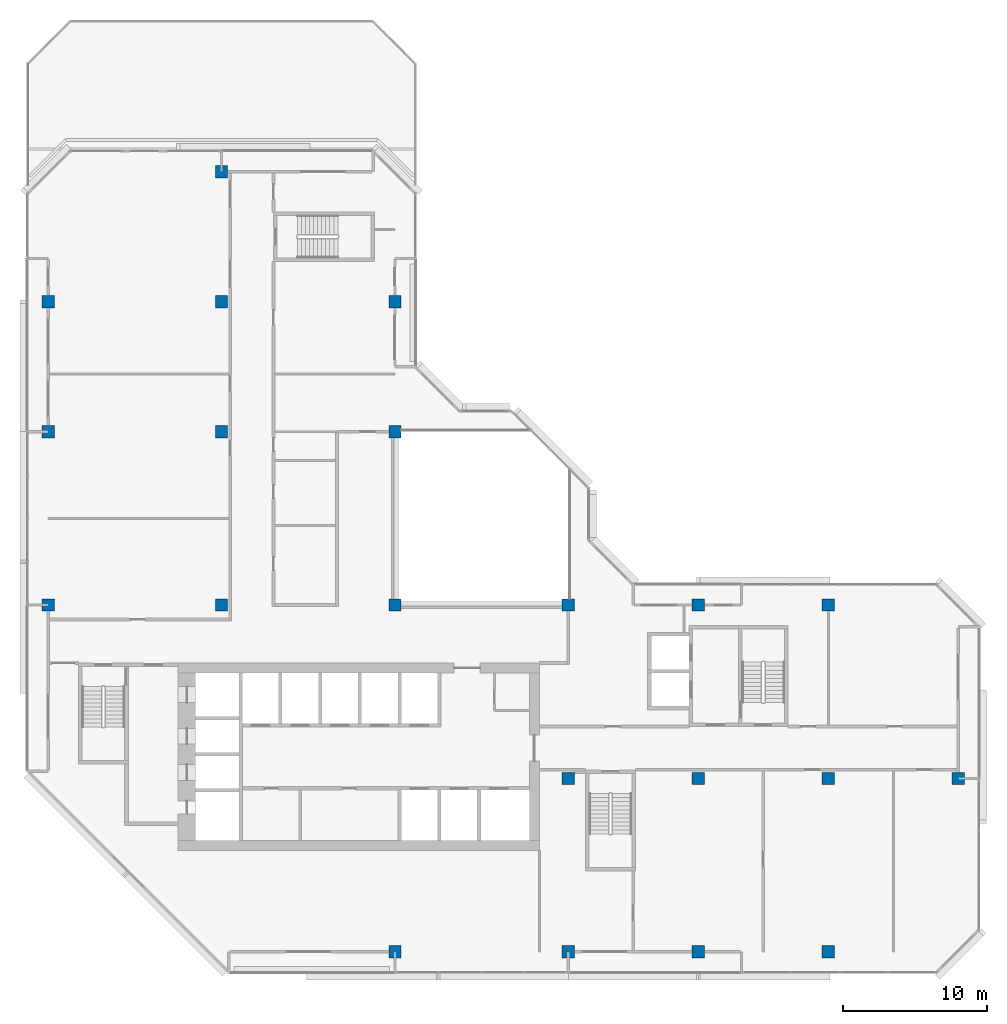
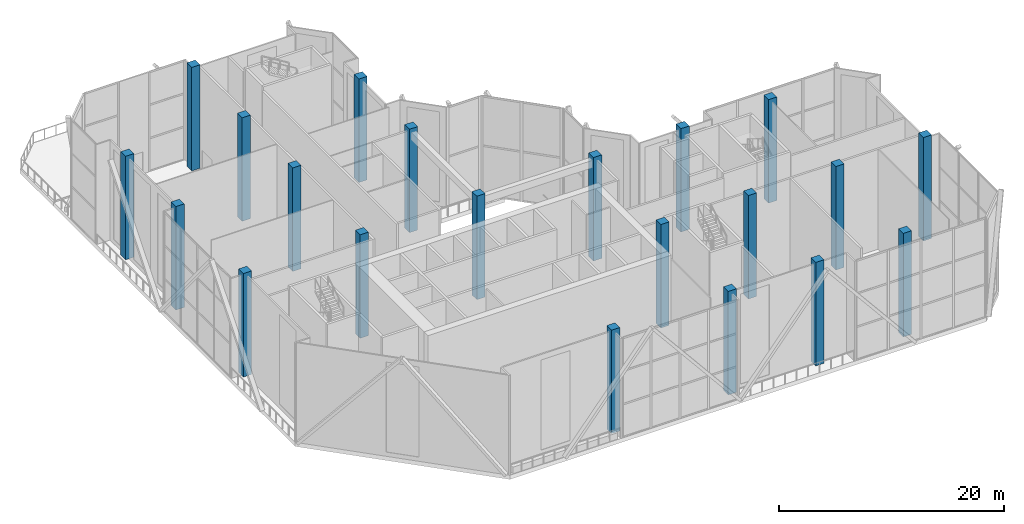
# One storey, part 1 of 18: 21 columns.
"""IFC4 building model written with IfcOpenShell, lengths in metres."""

from ifc_helpers import new_model, si_unit, direction, frame, origin, origin_2d, place, context, subcontext, project, spatial, rectangle, extrude, material, material_profile, profile_set, type_object, element, save


model = new_model("IFC4")

# Units and contexts
model_context = context("Model", 3, precision=1e-05, world=origin(), true_north=direction((0.0, 1.0)))
body_context = subcontext(model_context, "Body", "Model", "MODEL_VIEW")
ifc_project = project(units=[si_unit("LENGTHUNIT", "METRE"), si_unit("AREAUNIT", "SQUARE_METRE"), si_unit("VOLUMEUNIT", "CUBIC_METRE"), si_unit("PLANEANGLEUNIT", "RADIAN"), si_unit("MASSUNIT", "GRAM", prefix="KILO")], contexts=[model_context])

# Site, building, storey
site_placement = place(None, origin())
site = spatial("IfcSite", under=ifc_project, at=site_placement, CompositionType="ELEMENT")
building_placement = place(site_placement, origin())
building = spatial("IfcBuilding", under=site, at=building_placement, Name="Chenar Terraces", CompositionType="ELEMENT")
storey_placement = place(building_placement, frame((0.0, 0.0, 262.14990234375)))
storey = spatial("IfcBuildingStorey", under=building, at=storey_placement, Name="L62", CompositionType="ELEMENT", Elevation=262.14990234375)

# Columns
ifc_material = material(Name="Concrete C60/75", Category="concrete")
ifc_material_profile = material_profile(ifc_material, rectangle(XDim=0.85009765625, YDim=0.85009765625, at=origin_2d()), Name="C 850 x 850")
ifc_profile_set = profile_set([ifc_material_profile], Name="Concrete C60/75")
column_type = type_object("IfcColumnType", Name="Column C 850 x 850 Concrete C60/75", PredefinedType="COLUMN", material=ifc_profile_set)
for number, where, z_axis, x_axis, name in (
    (1, (0.0, 24.0, 0.0), (0.0, 0.0, 1.0), (1.0, 0.0, 0.0), "Column 5/G L62"),
    (2, (0.0, 36.0, 0.0), (0.0, 0.0, 1.0), (1.0, 0.0, 0.0), "Column 5/H L62"),
    (3, (0.0, 45.0, 0.0), (0.0, 0.0, 1.0), (1.0, 0.0, 0.0), "Column 5/J L62"),
    (4, (12.0, 24.0, 0.0), (0.0, 0.0, 1.0), (1.0, 0.0, 0.0), "Column 6/G L62"),
    (5, (12.0, 36.0, 0.0), (0.0, 0.0, 1.0), (1.0, 0.0, 0.0), "Column 6/H L62"),
    (6, (12.0, 45.0, 0.0), (0.0, 0.0, 1.0), (1.0, 0.0, 0.0), "Column 6/J L62"),
    (7, (12.0, 54.0, 0.0), (0.0, 0.0, 1.0), (1.0, 0.0, 0.0), "Column 6/K L62"),
    (8, (24.0, 0.0, 0.0), (0.0, 0.0, 1.0), (1.0, 0.0, 0.0), "Column 7/E L62"),
    (9, (24.0, 24.0, 0.0), (0.0, 0.0, 1.0), (1.0, 0.0, 0.0), "Column 7/G L62"),
    (10, (24.0, 36.0, 0.0), (0.0, 0.0, 1.0), (1.0, 0.0, 0.0), "Column 7/H L62"),
    (11, (24.0, 45.0, 0.0), (0.0, 0.0, 1.0), (1.0, 0.0, 0.0), "Column 7/J L62"),
    (12, (36.0, 0.0, 0.0), (0.0, 0.0, 1.0), (1.0, 0.0, 0.0), "Column 8/E L62"),
    (13, (36.0, 12.0, 0.0), (0.0, 0.0, 1.0), (1.0, 0.0, 0.0), "Column 8/F L62"),
    (14, (36.0, 24.0, 0.0), (0.0, 0.0, 1.0), (1.0, 0.0, 0.0), "Column 8/G L62"),
    (15, (45.0, 0.0, 0.0), (0.0, 0.0, 1.0), (1.0, 0.0, 0.0), "Column 9/E L62"),
    (16, (45.0, 12.0, 0.0), (0.0, 0.0, 1.0), (1.0, 0.0, 0.0), "Column 9/F L62"),
    (17, (45.0, 24.0, 0.0), (0.0, 0.0, 1.0), (1.0, 0.0, 0.0), "Column 9/G L62"),
    (18, (54.0, 0.0, 0.0), (0.0, 0.0, 1.0), (1.0, 0.0, 0.0), "Column 10/E L62"),
    (19, (54.0, 12.0, 0.0), (0.0, 0.0, 1.0), (1.0, 0.0, 0.0), "Column 10/F L62"),
    (20, (54.0, 24.0, 0.0), (0.0, 0.0, 1.0), (1.0, 0.0, 0.0), "Column 10/G L62"),
    (21, (63.0, 12.0, 0.0), (0.0, 0.0, 1.0), (1.0, 0.0, 0.0), "Column 11/F L62"),
):
    element("IfcColumn", number, at=place(storey_placement, frame(where, z_axis=z_axis, x_axis=x_axis)), inside=storey, type_object=column_type, Name=name, PredefinedType="COLUMN", context=body_context, shape_type="SweptSolid", body=[
        extrude(rectangle(XDim=0.85009765625, YDim=0.85009765625, at=origin_2d()), origin(), (0.0, 0.0, 1.0), 11.25),
    ])

save(model, "model.ifc")
